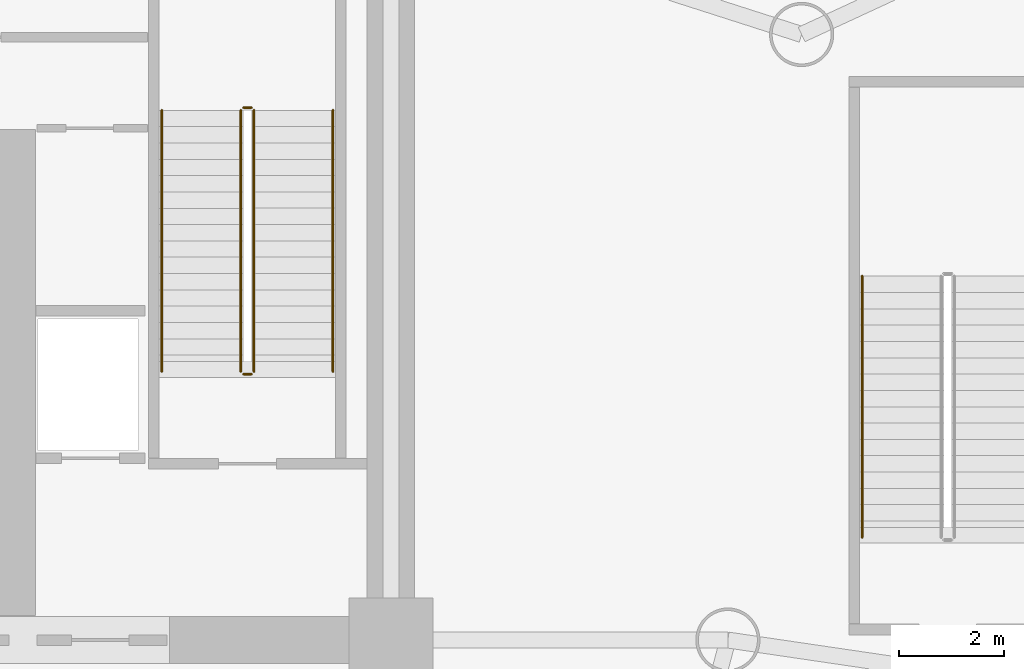
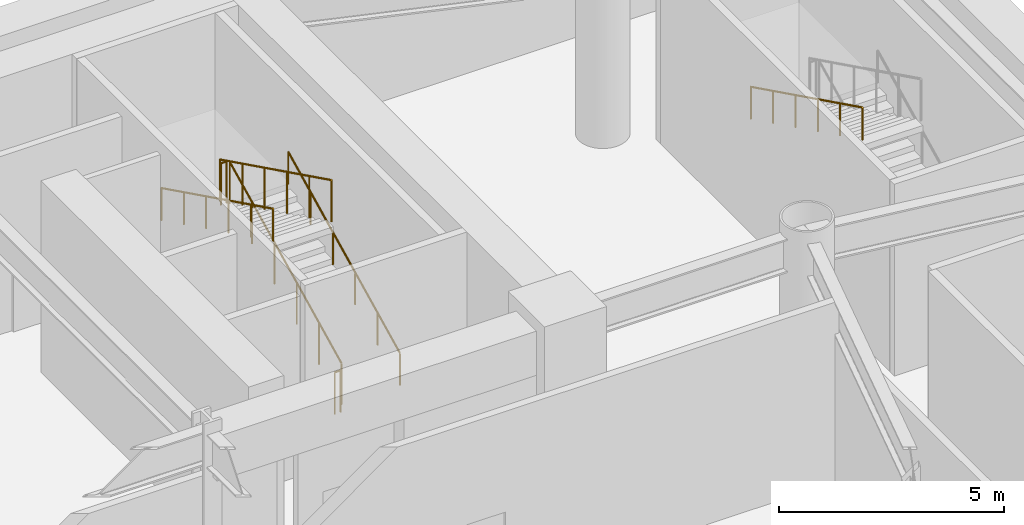
# One storey, part 7 of 9: 7 railings.
"""IFC4 building model written with IfcOpenShell, lengths in metres."""

from ifc_helpers import new_model, si_unit, direction, frame, origin, origin_2d, place, context, subcontext, project, spatial, circle, extrude, material, type_object, element, save


model = new_model("IFC4")

# Units and contexts
model_context = context("Model", 3, precision=1e-05, world=origin(), true_north=direction((0.0, 1.0)))
body_context = subcontext(model_context, "Body", "Model", "MODEL_VIEW")
ifc_project = project(units=[si_unit("LENGTHUNIT", "METRE"), si_unit("AREAUNIT", "SQUARE_METRE"), si_unit("VOLUMEUNIT", "CUBIC_METRE"), si_unit("PLANEANGLEUNIT", "RADIAN"), si_unit("MASSUNIT", "GRAM", prefix="KILO")], contexts=[model_context])

# Site, building, storey
site_placement = place(None, origin())
site = spatial("IfcSite", under=ifc_project, at=site_placement, CompositionType="ELEMENT")
building_placement = place(site_placement, origin())
building = spatial("IfcBuilding", under=site, at=building_placement, Name="Vaeldorn Concourse Tower", CompositionType="ELEMENT")
storey_placement = place(building_placement, frame((0.0, 0.0, -5.199951171875)))
storey = spatial("IfcBuildingStorey", under=building, at=storey_placement, Name="B01", CompositionType="ELEMENT", Elevation=-5.199951171875)

# Railings
ifc_material = material(Name="Anodised Bronze Aluminium", Category="aluminium")
railing_type_1 = type_object("IfcRailingType", Name="RL-STAIR-GUARD", PredefinedType="GUARDRAIL", material=ifc_material)
railing_1_placement = place(storey_placement, frame((51.39990234375, 41.60009765625, 0.15283203125)))
element("IfcRailing", 1, at=railing_1_placement, inside=storey, type_object=railing_type_1, Name="B01 ST-2 stair guard 1", PredefinedType="GUARDRAIL", context=body_context, shape_type="SweptSolid", body=[
    extrude(circle(Radius=0.02392578125, at=origin_2d()), frame((0.0, 0.0, 1.1259765625), z_axis=(0.0, 0.896798178328, 0.442439857323), x_axis=(-1.0, 0.0, 0.0)), (0.0, 0.0, 1.0), 5.53076171875),
    extrude(circle(Radius=0.02099609375, at=origin_2d()), origin(), (0.0, 0.0, 1.0), 1.101806640625),
    extrude(circle(Radius=0.02099609375, at=origin_2d()), frame((0.0, 0.991943359375, 0.489501953125)), (0.0, 0.0, 1.0), 1.101806640625),
    extrude(circle(Radius=0.02099609375, at=origin_2d()), frame((0.0, 1.98388671875, 0.978759765625)), (0.0, 0.0, 1.0), 1.101806640625),
    extrude(circle(Radius=0.02099609375, at=origin_2d()), frame((0.0, 2.97607421875, 1.46826171875)), (0.0, 0.0, 1.0), 1.101806640625),
    extrude(circle(Radius=0.02099609375, at=origin_2d()), frame((0.0, 3.968017578125, 1.95751953125)), (0.0, 0.0, 1.0), 1.101806640625),
    extrude(circle(Radius=0.02099609375, at=origin_2d()), frame((0.0, 4.9599609375, 2.447021484375)), (0.0, 0.0, 1.0), 1.101806640625),
])
railing_2_placement = place(storey_placement, frame((51.35009765625, 46.610107421875, 2.599853515625)))
element("IfcRailing", 2, at=railing_2_placement, inside=storey, type_object=railing_type_1, Name="B01 ST-2 stair guard 2", PredefinedType="GUARDRAIL", context=body_context, shape_type="SweptSolid", body=[
    extrude(circle(Radius=0.02392578125, at=origin_2d()), frame((0.0, 0.0, 1.1259765625), z_axis=(-1.0, 0.0, 0.0), x_axis=(0.0, -1.0, 0.0)), (0.0, 0.0, 1.0), 0.150146484375),
    extrude(circle(Radius=0.02099609375, at=origin_2d()), origin(), (0.0, 0.0, 1.0), 1.101806640625),
    extrude(circle(Radius=0.02099609375, at=origin_2d()), frame((-0.150146484375, 0.0, 0.0)), (0.0, 0.0, 1.0), 1.101806640625),
])
railing_3_placement = place(storey_placement, frame((51.14990234375, 46.56005859375, 2.7529296875)))
element("IfcRailing", 3, at=railing_3_placement, inside=storey, type_object=railing_type_1, Name="B01 ST-2 stair guard 3", PredefinedType="GUARDRAIL", context=body_context, shape_type="SweptSolid", body=[
    extrude(circle(Radius=0.02392578125, at=origin_2d()), frame((0.0, 0.0, 1.1259765625), z_axis=(0.0, -0.896798178328, 0.442439857323), x_axis=(1.0, 0.0, 0.0)), (0.0, 0.0, 1.0), 5.53076171875),
    extrude(circle(Radius=0.02099609375, at=origin_2d()), origin(), (0.0, 0.0, 1.0), 1.101806640625),
    extrude(circle(Radius=0.02099609375, at=origin_2d()), frame((0.0, -0.991943359375, 0.489501953125)), (0.0, 0.0, 1.0), 1.101806640625),
    extrude(circle(Radius=0.02099609375, at=origin_2d()), frame((0.0, -1.98388671875, 0.978759765625)), (0.0, 0.0, 1.0), 1.101806640625),
    extrude(circle(Radius=0.02099609375, at=origin_2d()), frame((0.0, -2.97607421875, 1.46826171875)), (0.0, 0.0, 1.0), 1.101806640625),
    extrude(circle(Radius=0.02099609375, at=origin_2d()), frame((0.0, -3.968017578125, 1.95751953125)), (0.0, 0.0, 1.0), 1.101806640625),
    extrude(circle(Radius=0.02099609375, at=origin_2d()), frame((0.0, -4.9599609375, 2.447021484375)), (0.0, 0.0, 1.0), 1.101806640625),
])
railing_4_placement = place(storey_placement, frame((51.35009765625, 41.550048828125, 0.0)))
element("IfcRailing", 4, at=railing_4_placement, inside=storey, type_object=railing_type_1, Name="B01 ST-2 stair guard 4", PredefinedType="GUARDRAIL", context=body_context, shape_type="SweptSolid", body=[
    extrude(circle(Radius=0.02392578125, at=origin_2d()), frame((0.0, 0.0, 1.1259765625), z_axis=(-1.0, 0.0, 0.0), x_axis=(0.0, -1.0, 0.0)), (0.0, 0.0, 1.0), 0.150146484375),
    extrude(circle(Radius=0.02099609375, at=origin_2d()), origin(), (0.0, 0.0, 1.0), 1.101806640625),
    extrude(circle(Radius=0.02099609375, at=origin_2d()), frame((-0.150146484375, 0.0, 0.0)), (0.0, 0.0, 1.0), 1.101806640625),
])
railing_type_2 = type_object("IfcRailingType", Name="RL-STAIR-HANDRAIL", PredefinedType="HANDRAIL", material=ifc_material)
railing_5_placement = place(storey_placement, frame((52.89990234375, 41.60009765625, 0.15283203125)))
element("IfcRailing", 5, at=railing_5_placement, inside=storey, type_object=railing_type_2, Name="B01 ST-2 stair handrail 1", PredefinedType="HANDRAIL", context=body_context, shape_type="SweptSolid", body=[
    extrude(circle(Radius=0.02392578125, at=origin_2d()), frame((0.0, 0.0, 0.8759765625), z_axis=(0.0, 0.896798178328, 0.442439857323), x_axis=(-1.0, 0.0, 0.0)), (0.0, 0.0, 1.0), 5.53076171875),
    extrude(circle(Radius=0.02099609375, at=origin_2d()), origin(), (0.0, 0.0, 1.0), 0.851806640625),
    extrude(circle(Radius=0.02099609375, at=origin_2d()), frame((0.0, 0.991943359375, 0.489501953125)), (0.0, 0.0, 1.0), 0.851806640625),
    extrude(circle(Radius=0.02099609375, at=origin_2d()), frame((0.0, 1.98388671875, 0.978759765625)), (0.0, 0.0, 1.0), 0.851806640625),
    extrude(circle(Radius=0.02099609375, at=origin_2d()), frame((0.0, 2.97607421875, 1.46826171875)), (0.0, 0.0, 1.0), 0.851806640625),
    extrude(circle(Radius=0.02099609375, at=origin_2d()), frame((0.0, 3.968017578125, 1.95751953125)), (0.0, 0.0, 1.0), 0.851806640625),
    extrude(circle(Radius=0.02099609375, at=origin_2d()), frame((0.0, 4.9599609375, 2.447021484375)), (0.0, 0.0, 1.0), 0.851806640625),
])
for number, where, name in (
    (6, (49.64990234375, 46.56005859375, 2.7529296875), "B01 ST-2 stair handrail 2"),
    (7, (62.949951171875, 43.409912109375, 2.7529296875), "B01 ST-4 stair handrail 2"),
):
    element("IfcRailing", number, at=place(storey_placement, frame(where)), inside=storey, type_object=railing_type_2, Name=name, PredefinedType="HANDRAIL", context=body_context, shape_type="SweptSolid", body=[
        extrude(circle(Radius=0.02392578125, at=origin_2d()), frame((0.0, 0.0, 0.8759765625), z_axis=(0.0, -0.896798178328, 0.442439857323), x_axis=(1.0, 0.0, 0.0)), (0.0, 0.0, 1.0), 5.53076171875),
        extrude(circle(Radius=0.02099609375, at=origin_2d()), origin(), (0.0, 0.0, 1.0), 0.851806640625),
        extrude(circle(Radius=0.02099609375, at=origin_2d()), frame((0.0, -0.991943359375, 0.489501953125)), (0.0, 0.0, 1.0), 0.851806640625),
        extrude(circle(Radius=0.02099609375, at=origin_2d()), frame((0.0, -1.98388671875, 0.978759765625)), (0.0, 0.0, 1.0), 0.851806640625),
        extrude(circle(Radius=0.02099609375, at=origin_2d()), frame((0.0, -2.97607421875, 1.46826171875)), (0.0, 0.0, 1.0), 0.851806640625),
        extrude(circle(Radius=0.02099609375, at=origin_2d()), frame((0.0, -3.968017578125, 1.95751953125)), (0.0, 0.0, 1.0), 0.851806640625),
        extrude(circle(Radius=0.02099609375, at=origin_2d()), frame((0.0, -4.9599609375, 2.447021484375)), (0.0, 0.0, 1.0), 0.851806640625),
    ])

save(model, "model.ifc")
